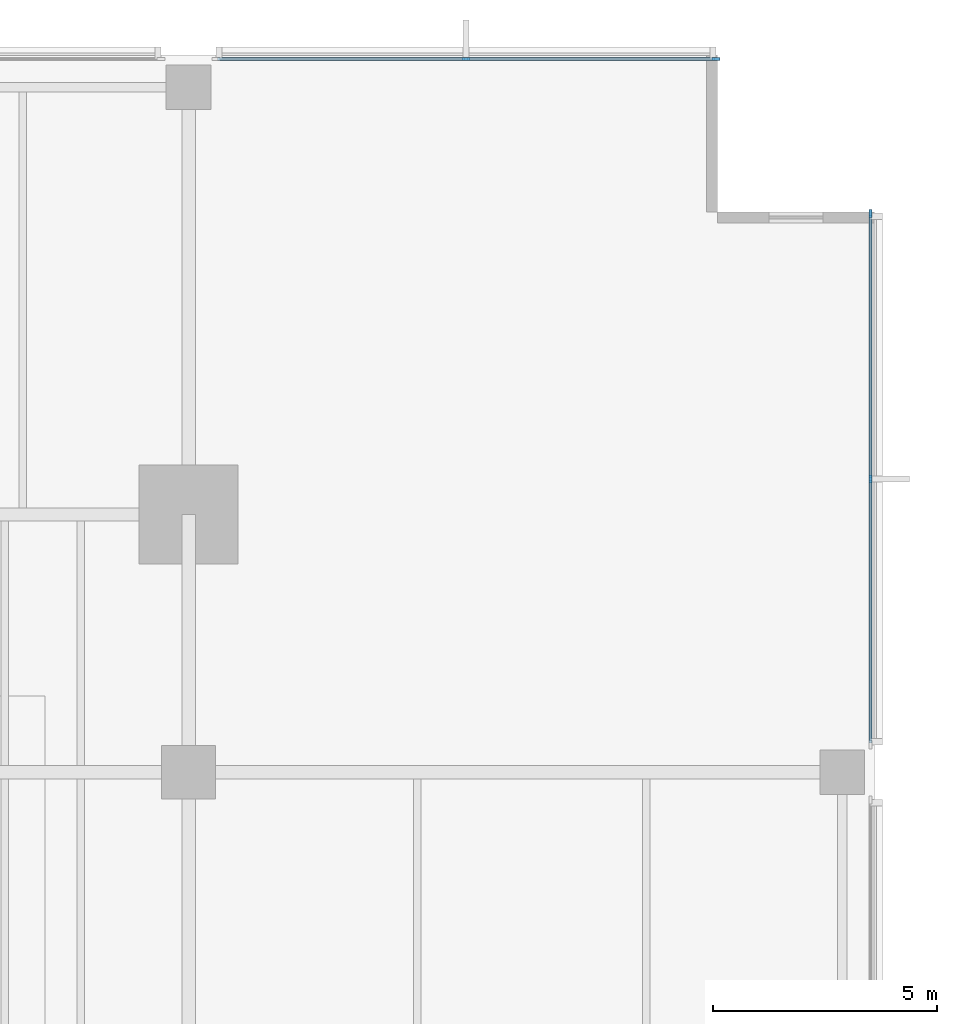
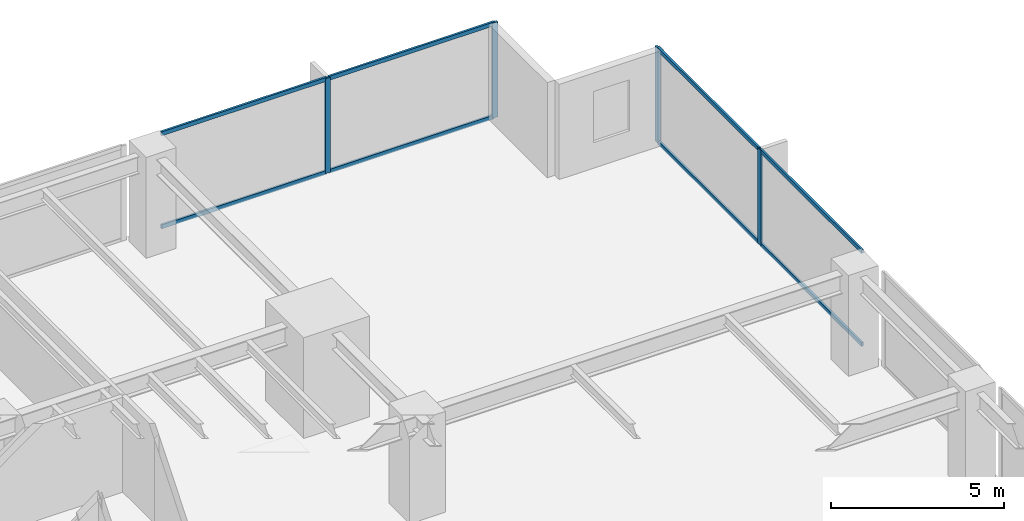
# One storey, part 6 of 15: 12 members, 2 elements without a shape of their own.
"""IFC4 building model written with IfcOpenShell, lengths in metres."""

from ifc_helpers import new_model, si_unit, direction, frame, origin, origin_2d, place, context, subcontext, project, spatial, rectangle, extrude, material, layer, layer_set, material_profile, profile_set, type_object, element, aggregate, save


model = new_model("IFC4")

# Units and contexts
model_context = context("Model", 3, precision=1e-05, world=origin(), true_north=direction((0.0, 1.0)))
body_context = subcontext(model_context, "Body", "Model", "MODEL_VIEW")
ifc_project = project(units=[si_unit("LENGTHUNIT", "METRE"), si_unit("AREAUNIT", "SQUARE_METRE"), si_unit("VOLUMEUNIT", "CUBIC_METRE"), si_unit("PLANEANGLEUNIT", "RADIAN"), si_unit("MASSUNIT", "GRAM", prefix="KILO")], contexts=[model_context])

# Site, building, storey
site_placement = place(None, origin())
site = spatial("IfcSite", under=ifc_project, at=site_placement, CompositionType="ELEMENT")
building_placement = place(site_placement, origin())
building = spatial("IfcBuilding", under=site, at=building_placement, Name="Kinhvarn Gate Tower", CompositionType="ELEMENT")
storey_placement = place(building_placement, frame((0.0, 0.0, 89.5)))
storey = spatial("IfcBuildingStorey", under=building, at=storey_placement, Name="L23", CompositionType="ELEMENT", Elevation=89.5)

# Curtain wall, members
ifc_material = material(Name="Anodised aluminium AW-6063", Category="aluminium")
ifc_layer = layer(ifc_material, 0.179931640625)
ifc_layer_set = layer_set([ifc_layer], Name="Anodised aluminium AW-6063")
curtain_wall_type = type_object("IfcCurtainWallType", Name="CW-SYS-2", PredefinedType="NOTDEFINED", material=ifc_layer_set)
curtain_wall_1_placement = place(storey_placement, origin())
curtain_wall_1 = element("IfcCurtainWall", 1, at=curtain_wall_1_placement, inside=storey, type_object=curtain_wall_type, Name="Curtain Wall CW2 (L23)", PredefinedType="NOTDEFINED")
ifc_material_profile_1 = material_profile(ifc_material, rectangle(XDim=0.070068359375, YDim=0.179931640625, at=origin_2d()), Name="ALU 70x180")
ifc_profile_set_1 = profile_set([ifc_material_profile_1], Name="Anodised aluminium AW-6063")
member_type_1 = type_object("IfcMemberType", Name="CW-MUL-180", PredefinedType="MULLION", material=ifc_profile_set_1)
member_1_placement = place(storey_placement, frame((49.965087890625, 47.909912109375, 0.0), z_axis=(0.0, 0.0, 1.0), x_axis=(0.0, -1.0, 0.0)))
member_1 = element("IfcMember", 2, at=member_1_placement, type_object=member_type_1, Name="CW2 mullion 1", PredefinedType="MULLION", context=body_context, shape_type="SweptSolid", body=[
    extrude(rectangle(XDim=0.070068359375, YDim=0.179931640625, at=origin_2d()), origin(), (0.0, 0.0, 1.0), 3.35009765625),
])
member_2_placement = place(storey_placement, frame((44.389892578125, 47.909912109375, 0.0), z_axis=(0.0, 0.0, 1.0), x_axis=(0.0, -1.0, 0.0)))
member_2 = element("IfcMember", 3, at=member_2_placement, type_object=member_type_1, Name="CW2 mullion 2", PredefinedType="MULLION", context=body_context, shape_type="SweptSolid", body=[
    extrude(rectangle(XDim=0.070068359375, YDim=0.179931640625, at=origin_2d()), origin(), (0.0, 0.0, 1.0), 3.35009765625),
])

curtain_wall_2_placement = place(storey_placement, origin())
curtain_wall_2 = element("IfcCurtainWall", 4, at=curtain_wall_2_placement, inside=storey, type_object=curtain_wall_type, Name="Curtain Wall CW2 (L23)", PredefinedType="NOTDEFINED")
member_3_placement = place(storey_placement, frame((53.409912109375, 38.5400390625, 0.0), z_axis=(0.0, 0.0, 1.0), x_axis=(-1.0, 0.0, 0.0)))
member_3 = element("IfcMember", 5, at=member_3_placement, type_object=member_type_1, Name="CW2 mullion 2", PredefinedType="MULLION", context=body_context, shape_type="SweptSolid", body=[
    extrude(rectangle(XDim=0.070068359375, YDim=0.179931640625, at=origin_2d()), origin(), (0.0, 0.0, 1.0), 3.35009765625),
])
member_4_placement = place(storey_placement, frame((53.409912109375, 44.465087890625, 0.0), z_axis=(0.0, 0.0, 1.0), x_axis=(-1.0, 0.0, 0.0)))
member_4 = element("IfcMember", 6, at=member_4_placement, type_object=member_type_1, Name="CW2 mullion 3", PredefinedType="MULLION", context=body_context, shape_type="SweptSolid", body=[
    extrude(rectangle(XDim=0.070068359375, YDim=0.179931640625, at=origin_2d()), origin(), (0.0, 0.0, 1.0), 3.35009765625),
])

# Member
ifc_material_profile_2 = material_profile(ifc_material, rectangle(XDim=0.070068359375, YDim=0.139892578125, at=origin_2d()), Name="ALU 70x140")
ifc_profile_set_2 = profile_set([ifc_material_profile_2], Name="Anodised aluminium AW-6063")
member_type_2 = type_object("IfcMemberType", Name="CW-TRN-140", PredefinedType="USERDEFINED", material=ifc_profile_set_2)
member_5_placement = place(storey_placement, frame((49.929931640625, 47.909912109375, 0.034912109375), z_axis=(-1.0, 0.0, 0.0), x_axis=(0.0, -1.0, 0.0)))
member_5 = element("IfcMember", 7, at=member_5_placement, type_object=member_type_2, Name="CW2 transom 1.1", ObjectType="TRANSOM", PredefinedType="USERDEFINED", context=body_context, shape_type="SweptSolid", body=[
    extrude(rectangle(XDim=0.070068359375, YDim=0.139892578125, at=origin_2d()), origin(), (0.0, 0.0, 1.0), 5.5048828125),
])

member_6_placement = place(storey_placement, frame((49.929931640625, 47.909912109375, 3.31494140625), z_axis=(-1.0, 0.0, 0.0), x_axis=(0.0, -1.0, 0.0)))
member_6 = element("IfcMember", 8, at=member_6_placement, type_object=member_type_2, Name="CW2 transom 1.2", ObjectType="TRANSOM", PredefinedType="USERDEFINED", context=body_context, shape_type="SweptSolid", body=[
    extrude(rectangle(XDim=0.070068359375, YDim=0.139892578125, at=origin_2d()), origin(), (0.0, 0.0, 1.0), 5.5048828125),
])

member_7_placement = place(storey_placement, frame((44.35498046875, 47.909912109375, 0.034912109375), z_axis=(-1.0, 0.0, 0.0), x_axis=(0.0, -1.0, 0.0)))
member_7 = element("IfcMember", 9, at=member_7_placement, type_object=member_type_2, Name="CW2 transom 2.1", ObjectType="TRANSOM", PredefinedType="USERDEFINED", context=body_context, shape_type="SweptSolid", body=[
    extrude(rectangle(XDim=0.070068359375, YDim=0.139892578125, at=origin_2d()), origin(), (0.0, 0.0, 1.0), 5.5048828125),
])

member_8_placement = place(storey_placement, frame((44.35498046875, 47.909912109375, 3.31494140625), z_axis=(-1.0, 0.0, 0.0), x_axis=(0.0, -1.0, 0.0)))
member_8 = element("IfcMember", 10, at=member_8_placement, type_object=member_type_2, Name="CW2 transom 2.2", ObjectType="TRANSOM", PredefinedType="USERDEFINED", context=body_context, shape_type="SweptSolid", body=[
    extrude(rectangle(XDim=0.070068359375, YDim=0.139892578125, at=origin_2d()), origin(), (0.0, 0.0, 1.0), 5.5048828125),
])

aggregate(curtain_wall_1, [member_1, member_2, member_5, member_6, member_7, member_8])

member_9_placement = place(storey_placement, frame((53.409912109375, 32.64990234375, 0.034912109375), z_axis=(0.0, 1.0, 0.0), x_axis=(-1.0, 0.0, 0.0)))
member_9 = element("IfcMember", 11, at=member_9_placement, type_object=member_type_2, Name="CW2 transom 1.1", ObjectType="TRANSOM", PredefinedType="USERDEFINED", context=body_context, shape_type="SweptSolid", body=[
    extrude(rectangle(XDim=0.070068359375, YDim=0.139892578125, at=origin_2d()), origin(), (0.0, 0.0, 1.0), 5.85498046875),
])

member_10_placement = place(storey_placement, frame((53.409912109375, 32.64990234375, 3.31494140625), z_axis=(0.0, 1.0, 0.0), x_axis=(-1.0, 0.0, 0.0)))
member_10 = element("IfcMember", 12, at=member_10_placement, type_object=member_type_2, Name="CW2 transom 1.2", ObjectType="TRANSOM", PredefinedType="USERDEFINED", context=body_context, shape_type="SweptSolid", body=[
    extrude(rectangle(XDim=0.070068359375, YDim=0.139892578125, at=origin_2d()), origin(), (0.0, 0.0, 1.0), 5.85498046875),
])

member_11_placement = place(storey_placement, frame((53.409912109375, 38.574951171875, 0.034912109375), z_axis=(0.0, 1.0, 0.0), x_axis=(-1.0, 0.0, 0.0)))
member_11 = element("IfcMember", 13, at=member_11_placement, type_object=member_type_2, Name="CW2 transom 2.1", ObjectType="TRANSOM", PredefinedType="USERDEFINED", context=body_context, shape_type="SweptSolid", body=[
    extrude(rectangle(XDim=0.070068359375, YDim=0.139892578125, at=origin_2d()), origin(), (0.0, 0.0, 1.0), 5.85498046875),
])

member_12_placement = place(storey_placement, frame((53.409912109375, 38.574951171875, 3.31494140625), z_axis=(0.0, 1.0, 0.0), x_axis=(-1.0, 0.0, 0.0)))
member_12 = element("IfcMember", 14, at=member_12_placement, type_object=member_type_2, Name="CW2 transom 2.2", ObjectType="TRANSOM", PredefinedType="USERDEFINED", context=body_context, shape_type="SweptSolid", body=[
    extrude(rectangle(XDim=0.070068359375, YDim=0.139892578125, at=origin_2d()), origin(), (0.0, 0.0, 1.0), 5.85498046875),
])

aggregate(curtain_wall_2, [member_3, member_4, member_9, member_10, member_11, member_12])

save(model, "model.ifc")
